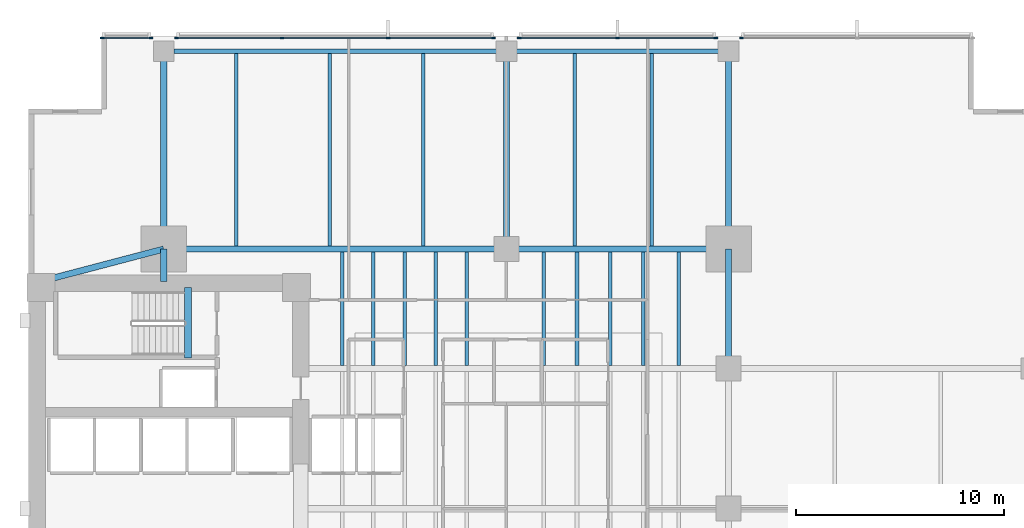
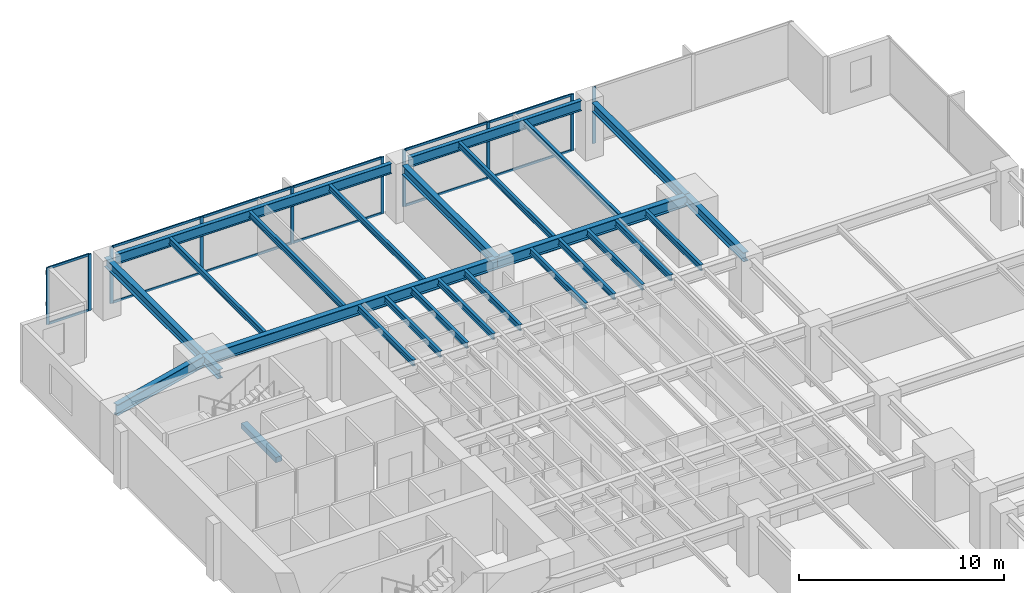
# One storey, part 5 of 15: 26 beams, 22 members, 4 elements without a shape of their own.
"""IFC4 building model written with IfcOpenShell, lengths in metres."""

from ifc_helpers import new_model, si_unit, direction, frame, origin, origin_2d, place, context, subcontext, project, spatial, rectangle, i_section, extrude, material, layer, layer_set, material_profile, profile_set, type_object, element, aggregate, save


model = new_model("IFC4")

# Units and contexts
model_context = context("Model", 3, precision=1e-05, world=origin(), true_north=direction((0.0, 1.0)))
body_context = subcontext(model_context, "Body", "Model", "MODEL_VIEW")
ifc_project = project(units=[si_unit("LENGTHUNIT", "METRE"), si_unit("AREAUNIT", "SQUARE_METRE"), si_unit("VOLUMEUNIT", "CUBIC_METRE"), si_unit("PLANEANGLEUNIT", "RADIAN"), si_unit("MASSUNIT", "GRAM", prefix="KILO")], contexts=[model_context])

# Site, building, storey
site_placement = place(None, origin())
site = spatial("IfcSite", under=ifc_project, at=site_placement, CompositionType="ELEMENT")
building_placement = place(site_placement, origin())
building = spatial("IfcBuilding", under=site, at=building_placement, Name="Kinhvarn Gate Tower", CompositionType="ELEMENT")
storey_placement = place(building_placement, frame((0.0, 0.0, 43.35009765625)))
storey = spatial("IfcBuildingStorey", under=building, at=storey_placement, Name="L10", CompositionType="ELEMENT", Elevation=43.35009765625)

# Beam
ifc_material_1 = material(Name="Concrete C50/60", Category="concrete")
ifc_material_profile_1 = material_profile(ifc_material_1, rectangle(XDim=0.340087890625, YDim=0.320068359375, at=origin_2d()), Name="RC 340x320")
ifc_profile_set_1 = profile_set([ifc_material_profile_1], Name="Concrete C50/60")
beam_type_1 = type_object("IfcBeamType", Name="BM-LND-500", PredefinedType="BEAM", material=ifc_profile_set_1)
beam_1_placement = place(storey_placement, frame((12.1650390625, 32.5, -0.16015625), z_axis=(0.0, 1.0, 0.0), x_axis=(-1.0, 0.0, 0.0)))
element("IfcBeam", 1, at=beam_1_placement, inside=storey, type_object=beam_type_1, Name="Stair ST2 Landing Nosing Beam (L10)", PredefinedType="BEAM", context=body_context, shape_type="SweptSolid", body=[
    extrude(rectangle(XDim=0.340087890625, YDim=0.320068359375, at=origin_2d()), origin(), (0.0, 0.0, 1.0), 3.39990234375),
])

# Curtain wall, member
ifc_material_2 = material(Name="Anodised aluminium AW-6063", Category="aluminium")
ifc_layer = layer(ifc_material_2, 0.179931640625)
ifc_layer_set = layer_set([ifc_layer], Name="Anodised aluminium AW-6063")
curtain_wall_type = type_object("IfcCurtainWallType", Name="CW-SYS-2", PredefinedType="NOTDEFINED", material=ifc_layer_set)
curtain_wall_1_placement = place(storey_placement, origin())
curtain_wall_1 = element("IfcCurtainWall", 2, at=curtain_wall_1_placement, inside=storey, type_object=curtain_wall_type, Name="Curtain Wall CW2 (L10)", PredefinedType="NOTDEFINED")
ifc_material_profile_2 = material_profile(ifc_material_2, rectangle(XDim=0.070068359375, YDim=0.179931640625, at=origin_2d()), Name="ALU 70x180")
ifc_profile_set_2 = profile_set([ifc_material_profile_2], Name="Anodised aluminium AW-6063")
member_type_1 = type_object("IfcMemberType", Name="CW-MUL-180", PredefinedType="MULLION", material=ifc_profile_set_2)
member_1_placement = place(storey_placement, frame((38.81494140625, 47.909912109375, 0.0), z_axis=(0.0, 0.0, 1.0), x_axis=(0.0, -1.0, 0.0)))
member_1 = element("IfcMember", 3, at=member_1_placement, type_object=member_type_1, Name="CW2 mullion 3", PredefinedType="MULLION", context=body_context, shape_type="SweptSolid", body=[
    extrude(rectangle(XDim=0.070068359375, YDim=0.179931640625, at=origin_2d()), origin(), (0.0, 0.0, 1.0), 3.369873046875),
])
aggregate(curtain_wall_1, [member_1])

# Curtain wall, members
curtain_wall_2_placement = place(storey_placement, origin())
curtain_wall_2 = element("IfcCurtainWall", 4, at=curtain_wall_2_placement, inside=storey, type_object=curtain_wall_type, Name="Curtain Wall CW2 (L10)", PredefinedType="NOTDEFINED")
member_2_placement = place(storey_placement, frame((37.5849609375, 47.909912109375, 0.0), z_axis=(0.0, 0.0, 1.0), x_axis=(0.0, -1.0, 0.0)))
member_2 = element("IfcMember", 5, at=member_2_placement, type_object=member_type_1, Name="CW2 mullion 1", PredefinedType="MULLION", context=body_context, shape_type="SweptSolid", body=[
    extrude(rectangle(XDim=0.070068359375, YDim=0.179931640625, at=origin_2d()), origin(), (0.0, 0.0, 1.0), 3.369873046875),
])
member_3_placement = place(storey_placement, frame((32.85009765625, 47.909912109375, 0.0), z_axis=(0.0, 0.0, 1.0), x_axis=(0.0, -1.0, 0.0)))
member_3 = element("IfcMember", 6, at=member_3_placement, type_object=member_type_1, Name="CW2 mullion 2", PredefinedType="MULLION", context=body_context, shape_type="SweptSolid", body=[
    extrude(rectangle(XDim=0.070068359375, YDim=0.179931640625, at=origin_2d()), origin(), (0.0, 0.0, 1.0), 3.369873046875),
])
member_4_placement = place(storey_placement, frame((28.114990234375, 47.909912109375, 0.0), z_axis=(0.0, 0.0, 1.0), x_axis=(0.0, -1.0, 0.0)))
member_4 = element("IfcMember", 7, at=member_4_placement, type_object=member_type_1, Name="CW2 mullion 3", PredefinedType="MULLION", context=body_context, shape_type="SweptSolid", body=[
    extrude(rectangle(XDim=0.070068359375, YDim=0.179931640625, at=origin_2d()), origin(), (0.0, 0.0, 1.0), 3.369873046875),
])

curtain_wall_3_placement = place(storey_placement, origin())
curtain_wall_3 = element("IfcCurtainWall", 8, at=curtain_wall_3_placement, inside=storey, type_object=curtain_wall_type, Name="Curtain Wall CW2 (L10)", PredefinedType="NOTDEFINED")
member_5_placement = place(storey_placement, frame((26.885009765625, 47.909912109375, 0.0), z_axis=(0.0, 0.0, 1.0), x_axis=(0.0, -1.0, 0.0)))
member_5 = element("IfcMember", 9, at=member_5_placement, type_object=member_type_1, Name="CW2 mullion 1", PredefinedType="MULLION", context=body_context, shape_type="SweptSolid", body=[
    extrude(rectangle(XDim=0.070068359375, YDim=0.179931640625, at=origin_2d()), origin(), (0.0, 0.0, 1.0), 3.369873046875),
])
member_6_placement = place(storey_placement, frame((21.806640625, 47.909912109375, 0.0), z_axis=(0.0, 0.0, 1.0), x_axis=(0.0, -1.0, 0.0)))
member_6 = element("IfcMember", 10, at=member_6_placement, type_object=member_type_1, Name="CW2 mullion 2", PredefinedType="MULLION", context=body_context, shape_type="SweptSolid", body=[
    extrude(rectangle(XDim=0.070068359375, YDim=0.179931640625, at=origin_2d()), origin(), (0.0, 0.0, 1.0), 3.369873046875),
])
member_7_placement = place(storey_placement, frame((16.693359375, 47.909912109375, 0.0), z_axis=(0.0, 0.0, 1.0), x_axis=(0.0, -1.0, 0.0)))
member_7 = element("IfcMember", 11, at=member_7_placement, type_object=member_type_1, Name="CW2 mullion 3", PredefinedType="MULLION", context=body_context, shape_type="SweptSolid", body=[
    extrude(rectangle(XDim=0.070068359375, YDim=0.179931640625, at=origin_2d()), origin(), (0.0, 0.0, 1.0), 3.369873046875),
])
member_8_placement = place(storey_placement, frame((11.614990234375, 47.909912109375, 0.0), z_axis=(0.0, 0.0, 1.0), x_axis=(0.0, -1.0, 0.0)))
member_8 = element("IfcMember", 12, at=member_8_placement, type_object=member_type_1, Name="CW2 mullion 4", PredefinedType="MULLION", context=body_context, shape_type="SweptSolid", body=[
    extrude(rectangle(XDim=0.070068359375, YDim=0.179931640625, at=origin_2d()), origin(), (0.0, 0.0, 1.0), 3.369873046875),
])

curtain_wall_4_placement = place(storey_placement, origin())
curtain_wall_4 = element("IfcCurtainWall", 13, at=curtain_wall_4_placement, inside=storey, type_object=curtain_wall_type, Name="Curtain Wall CW2 (L10)", PredefinedType="NOTDEFINED")
member_9_placement = place(storey_placement, frame((10.385009765625, 47.909912109375, 0.0), z_axis=(0.0, 0.0, 1.0), x_axis=(0.0, -1.0, 0.0)))
member_9 = element("IfcMember", 14, at=member_9_placement, type_object=member_type_1, Name="CW2 mullion 1", PredefinedType="MULLION", context=body_context, shape_type="SweptSolid", body=[
    extrude(rectangle(XDim=0.070068359375, YDim=0.179931640625, at=origin_2d()), origin(), (0.0, 0.0, 1.0), 3.369873046875),
])
member_10_placement = place(storey_placement, frame((8.034912109375, 47.909912109375, 0.0), z_axis=(0.0, 0.0, 1.0), x_axis=(0.0, -1.0, 0.0)))
member_10 = element("IfcMember", 15, at=member_10_placement, type_object=member_type_1, Name="CW2 mullion 2", PredefinedType="MULLION", context=body_context, shape_type="SweptSolid", body=[
    extrude(rectangle(XDim=0.070068359375, YDim=0.179931640625, at=origin_2d()), origin(), (0.0, 0.0, 1.0), 3.369873046875),
])

# Member
ifc_material_profile_3 = material_profile(ifc_material_2, rectangle(XDim=0.070068359375, YDim=0.139892578125, at=origin_2d()), Name="ALU 70x140")
ifc_profile_set_3 = profile_set([ifc_material_profile_3], Name="Anodised aluminium AW-6063")
member_type_2 = type_object("IfcMemberType", Name="CW-TRN-140", PredefinedType="USERDEFINED", material=ifc_profile_set_3)
member_11_placement = place(storey_placement, frame((37.550048828125, 47.909912109375, 0.034912109375), z_axis=(-1.0, 0.0, 0.0), x_axis=(0.0, -1.0, 0.0)))
member_11 = element("IfcMember", 16, at=member_11_placement, type_object=member_type_2, Name="CW2 transom 1.1", ObjectType="TRANSOM", PredefinedType="USERDEFINED", context=body_context, shape_type="SweptSolid", body=[
    extrude(rectangle(XDim=0.070068359375, YDim=0.139892578125, at=origin_2d()), origin(), (0.0, 0.0, 1.0), 4.6650390625),
])

member_12_placement = place(storey_placement, frame((37.550048828125, 47.909912109375, 3.3349609375), z_axis=(-1.0, 0.0, 0.0), x_axis=(0.0, -1.0, 0.0)))
member_12 = element("IfcMember", 17, at=member_12_placement, type_object=member_type_2, Name="CW2 transom 1.2", ObjectType="TRANSOM", PredefinedType="USERDEFINED", context=body_context, shape_type="SweptSolid", body=[
    extrude(rectangle(XDim=0.070068359375, YDim=0.139892578125, at=origin_2d()), origin(), (0.0, 0.0, 1.0), 4.6650390625),
])

member_13_placement = place(storey_placement, frame((32.81494140625, 47.909912109375, 0.034912109375), z_axis=(-1.0, 0.0, 0.0), x_axis=(0.0, -1.0, 0.0)))
member_13 = element("IfcMember", 18, at=member_13_placement, type_object=member_type_2, Name="CW2 transom 2.1", ObjectType="TRANSOM", PredefinedType="USERDEFINED", context=body_context, shape_type="SweptSolid", body=[
    extrude(rectangle(XDim=0.070068359375, YDim=0.139892578125, at=origin_2d()), origin(), (0.0, 0.0, 1.0), 4.6650390625),
])

member_14_placement = place(storey_placement, frame((32.81494140625, 47.909912109375, 3.3349609375), z_axis=(-1.0, 0.0, 0.0), x_axis=(0.0, -1.0, 0.0)))
member_14 = element("IfcMember", 19, at=member_14_placement, type_object=member_type_2, Name="CW2 transom 2.2", ObjectType="TRANSOM", PredefinedType="USERDEFINED", context=body_context, shape_type="SweptSolid", body=[
    extrude(rectangle(XDim=0.070068359375, YDim=0.139892578125, at=origin_2d()), origin(), (0.0, 0.0, 1.0), 4.6650390625),
])

aggregate(curtain_wall_2, [member_2, member_3, member_4, member_11, member_12, member_13, member_14])

member_15_placement = place(storey_placement, frame((26.85009765625, 47.909912109375, 0.034912109375), z_axis=(-1.0, 0.0, 0.0), x_axis=(0.0, -1.0, 0.0)))
member_15 = element("IfcMember", 20, at=member_15_placement, type_object=member_type_2, Name="CW2 transom 1.1", ObjectType="TRANSOM", PredefinedType="USERDEFINED", context=body_context, shape_type="SweptSolid", body=[
    extrude(rectangle(XDim=0.070068359375, YDim=0.139892578125, at=origin_2d()), origin(), (0.0, 0.0, 1.0), 5.008544921875),
])

member_16_placement = place(storey_placement, frame((26.85009765625, 47.909912109375, 3.3349609375), z_axis=(-1.0, 0.0, 0.0), x_axis=(0.0, -1.0, 0.0)))
member_16 = element("IfcMember", 21, at=member_16_placement, type_object=member_type_2, Name="CW2 transom 1.2", ObjectType="TRANSOM", PredefinedType="USERDEFINED", context=body_context, shape_type="SweptSolid", body=[
    extrude(rectangle(XDim=0.070068359375, YDim=0.139892578125, at=origin_2d()), origin(), (0.0, 0.0, 1.0), 5.008544921875),
])

member_17_placement = place(storey_placement, frame((21.771728515625, 47.909912109375, 0.034912109375), z_axis=(-1.0, 0.0, 0.0), x_axis=(0.0, -1.0, 0.0)))
member_17 = element("IfcMember", 22, at=member_17_placement, type_object=member_type_2, Name="CW2 transom 2.1", ObjectType="TRANSOM", PredefinedType="USERDEFINED", context=body_context, shape_type="SweptSolid", body=[
    extrude(rectangle(XDim=0.070068359375, YDim=0.139892578125, at=origin_2d()), origin(), (0.0, 0.0, 1.0), 5.04345703125),
])

member_18_placement = place(storey_placement, frame((21.771728515625, 47.909912109375, 3.3349609375), z_axis=(-1.0, 0.0, 0.0), x_axis=(0.0, -1.0, 0.0)))
member_18 = element("IfcMember", 23, at=member_18_placement, type_object=member_type_2, Name="CW2 transom 2.2", ObjectType="TRANSOM", PredefinedType="USERDEFINED", context=body_context, shape_type="SweptSolid", body=[
    extrude(rectangle(XDim=0.070068359375, YDim=0.139892578125, at=origin_2d()), origin(), (0.0, 0.0, 1.0), 5.04345703125),
])

member_19_placement = place(storey_placement, frame((16.658447265625, 47.909912109375, 0.034912109375), z_axis=(-1.0, 0.0, 0.0), x_axis=(0.0, -1.0, 0.0)))
member_19 = element("IfcMember", 24, at=member_19_placement, type_object=member_type_2, Name="CW2 transom 3.1", ObjectType="TRANSOM", PredefinedType="USERDEFINED", context=body_context, shape_type="SweptSolid", body=[
    extrude(rectangle(XDim=0.070068359375, YDim=0.139892578125, at=origin_2d()), origin(), (0.0, 0.0, 1.0), 5.008544921875),
])

member_20_placement = place(storey_placement, frame((16.658447265625, 47.909912109375, 3.3349609375), z_axis=(-1.0, 0.0, 0.0), x_axis=(0.0, -1.0, 0.0)))
member_20 = element("IfcMember", 25, at=member_20_placement, type_object=member_type_2, Name="CW2 transom 3.2", ObjectType="TRANSOM", PredefinedType="USERDEFINED", context=body_context, shape_type="SweptSolid", body=[
    extrude(rectangle(XDim=0.070068359375, YDim=0.139892578125, at=origin_2d()), origin(), (0.0, 0.0, 1.0), 5.008544921875),
])

aggregate(curtain_wall_3, [member_5, member_6, member_7, member_8, member_15, member_16, member_17, member_18, member_19, member_20])

member_21_placement = place(storey_placement, frame((10.35009765625, 47.909912109375, 0.034912109375), z_axis=(-1.0, 0.0, 0.0), x_axis=(0.0, -1.0, 0.0)))
member_21 = element("IfcMember", 26, at=member_21_placement, type_object=member_type_2, Name="CW2 transom 1.1", ObjectType="TRANSOM", PredefinedType="USERDEFINED", context=body_context, shape_type="SweptSolid", body=[
    extrude(rectangle(XDim=0.070068359375, YDim=0.139892578125, at=origin_2d()), origin(), (0.0, 0.0, 1.0), 2.280029296875),
])

member_22_placement = place(storey_placement, frame((10.35009765625, 47.909912109375, 3.3349609375), z_axis=(-1.0, 0.0, 0.0), x_axis=(0.0, -1.0, 0.0)))
member_22 = element("IfcMember", 27, at=member_22_placement, type_object=member_type_2, Name="CW2 transom 1.2", ObjectType="TRANSOM", PredefinedType="USERDEFINED", context=body_context, shape_type="SweptSolid", body=[
    extrude(rectangle(XDim=0.070068359375, YDim=0.139892578125, at=origin_2d()), origin(), (0.0, 0.0, 1.0), 2.280029296875),
])

aggregate(curtain_wall_4, [member_9, member_10, member_21, member_22])

# Beams
ifc_material_3 = material(Name="Steel S355", Category="steel")
ifc_material_profile_4 = material_profile(ifc_material_3, i_section(OverallWidth=0.300048828125, OverallDepth=0.550048828125, WebThickness=0.014892578125, FlangeThickness=0.029052734375, at=origin_2d()), Name="HEB 550")
ifc_profile_set_4 = profile_set([ifc_material_profile_4], Name="Steel S355")
beam_type_2 = type_object("IfcBeamType", Name="STL-HEB550", PredefinedType="BEAM", material=ifc_profile_set_4)
beam_2_placement = place(storey_placement, frame((11.0, 36.199951171875, 3.094970703125), z_axis=(0.0, 1.0, 0.0), x_axis=(-1.0, 0.0, 0.0)))
element("IfcBeam", 28, at=beam_2_placement, inside=storey, type_object=beam_type_2, Name="Floor Beam PG-15 (L10 MCW-CN)", PredefinedType="BEAM", context=body_context, shape_type="SweptSolid", body=[
    extrude(i_section(OverallWidth=0.300048828125, OverallDepth=0.550048828125, WebThickness=0.014892578125, FlangeThickness=0.029052734375, at=origin_2d()), origin(), (0.0, 0.0, 1.0), 1.550048828125),
])
beam_3_placement = place(storey_placement, frame((11.0, 37.75, 3.094970703125), z_axis=(0.0, 1.0, 0.0), x_axis=(-1.0, 0.0, 0.0)))
element("IfcBeam", 29, at=beam_3_placement, inside=storey, type_object=beam_type_2, Name="Floor Beam PG-15 (L10 MCW-N)", PredefinedType="BEAM", context=body_context, shape_type="SweptSolid", body=[
    extrude(i_section(OverallWidth=0.300048828125, OverallDepth=0.550048828125, WebThickness=0.014892578125, FlangeThickness=0.029052734375, at=origin_2d()), origin(), (0.0, 0.0, 1.0), 9.530029296875),
])
for number, where, z_axis, x_axis, name in (
    (30, (27.5, 37.75, 3.094970703125), (0.0, 1.0, 0.0), (-1.0, 0.0, 0.0), "Floor Beam PG-15 (L10 SP27-N-TIE)"),
    (31, (38.199951171875, 37.75, 3.094970703125), (0.0, 1.0, 0.0), (-1.0, 0.0, 0.0), "Floor Beam PG-15 (L10 MCE-N)"),
):
    element("IfcBeam", number, at=place(storey_placement, frame(where, z_axis=z_axis, x_axis=x_axis)), inside=storey, type_object=beam_type_2, Name=name, PredefinedType="BEAM", context=body_context, shape_type="SweptSolid", body=[
        extrude(i_section(OverallWidth=0.300048828125, OverallDepth=0.550048828125, WebThickness=0.014892578125, FlangeThickness=0.029052734375, at=origin_2d()), origin(), (0.0, 0.0, 1.0), 9.044921875),
    ])
beam_4_placement = place(storey_placement, frame((38.199951171875, 32.0, 3.094970703125), z_axis=(0.0, 1.0, 0.0), x_axis=(-1.0, 0.0, 0.0)))
element("IfcBeam", 32, at=beam_4_placement, inside=storey, type_object=beam_type_2, Name="Floor Beam PG-15 (L10 MG-E-32)", PredefinedType="BEAM", context=body_context, shape_type="SweptSolid", body=[
    extrude(i_section(OverallWidth=0.300048828125, OverallDepth=0.550048828125, WebThickness=0.014892578125, FlangeThickness=0.029052734375, at=origin_2d()), origin(), (0.0, 0.0, 1.0), 5.75),
])
ifc_material_profile_5 = material_profile(ifc_material_3, i_section(OverallWidth=0.300048828125, OverallDepth=0.64990234375, WebThickness=0.01611328125, FlangeThickness=0.031005859375, at=origin_2d()), Name="HEB 650")
ifc_profile_set_5 = profile_set([ifc_material_profile_5], Name="Steel S355")
beam_type_3 = type_object("IfcBeamType", Name="STL-HEB650", PredefinedType="BEAM", material=ifc_profile_set_5)
beam_5_placement = place(storey_placement, frame((11.0, 37.75, 3.044921875), z_axis=(1.0, 0.0, 0.0), x_axis=(0.0, 1.0, 0.0)))
element("IfcBeam", 33, at=beam_5_placement, inside=storey, type_object=beam_type_3, Name="Floor Beam PG-17 (L10 MG-N1)", PredefinedType="BEAM", context=body_context, shape_type="SweptSolid", body=[
    extrude(i_section(OverallWidth=0.300048828125, OverallDepth=0.64990234375, WebThickness=0.01611328125, FlangeThickness=0.031005859375, at=origin_2d()), origin(), (0.0, 0.0, 1.0), 16.5),
])
beam_6_placement = place(storey_placement, frame((27.5, 37.75, 3.044921875), z_axis=(1.0, 0.0, 0.0), x_axis=(0.0, 1.0, 0.0)))
element("IfcBeam", 34, at=beam_6_placement, inside=storey, type_object=beam_type_3, Name="Floor Beam PG-17 (L10 MG-N2)", PredefinedType="BEAM", context=body_context, shape_type="SweptSolid", body=[
    extrude(i_section(OverallWidth=0.300048828125, OverallDepth=0.64990234375, WebThickness=0.01611328125, FlangeThickness=0.031005859375, at=origin_2d()), origin(), (0.0, 0.0, 1.0), 10.699951171875),
])
beam_7_placement = place(storey_placement, frame((5.10009765625, 36.199951171875, 3.044921875), z_axis=(0.967177623957, 0.254101246979, 0.0), x_axis=(-0.254101246979, 0.967177623957, 0.0)))
element("IfcBeam", 35, at=beam_7_placement, inside=storey, type_object=beam_type_3, Name="Floor Beam PG-17 (L10 MG-NW-DIAG)", PredefinedType="BEAM", context=body_context, shape_type="SweptSolid", body=[
    extrude(i_section(OverallWidth=0.300048828125, OverallDepth=0.64990234375, WebThickness=0.01611328125, FlangeThickness=0.031005859375, at=origin_2d()), origin(), (0.0, 0.0, 1.0), 6.10009765625),
])
ifc_material_profile_6 = material_profile(ifc_material_3, i_section(OverallWidth=0.169921875, OverallDepth=0.360107421875, WebThickness=0.008056640625, FlangeThickness=0.0126953125, at=origin_2d()), Name="IPE 360")
ifc_profile_set_6 = profile_set([ifc_material_profile_6], Name="Steel S355")
beam_type_4 = type_object("IfcBeamType", Name="STL-IPE360", PredefinedType="JOIST", material=ifc_profile_set_6)
for number, where, z_axis, x_axis, name in (
    (36, (19.60009765625, 32.14990234375, 3.18994140625), (0.0, 1.0, 0.0), (-1.0, 0.0, 0.0), "Floor Joist SB-04 (L10 JC-X196-3)"),
    (37, (21.10009765625, 32.14990234375, 3.18994140625), (0.0, 1.0, 0.0), (-1.0, 0.0, 0.0), "Floor Joist SB-04 (L10 JC-X211-3)"),
    (38, (22.60009765625, 32.14990234375, 3.18994140625), (0.0, 1.0, 0.0), (-1.0, 0.0, 0.0), "Floor Joist SB-04 (L10 JC-X226-3)"),
    (39, (24.10009765625, 32.14990234375, 3.18994140625), (0.0, 1.0, 0.0), (-1.0, 0.0, 0.0), "Floor Joist SB-04 (L10 JC-X241-3)"),
    (40, (25.60009765625, 32.14990234375, 3.18994140625), (0.0, 1.0, 0.0), (-1.0, 0.0, 0.0), "Floor Joist SB-04 (L10 JC-X256-3)"),
    (41, (29.300048828125, 32.14990234375, 3.18994140625), (0.0, 1.0, 0.0), (-1.0, 0.0, 0.0), "Floor Joist SB-04 (L10 JC-X293-3)"),
    (42, (30.89990234375, 32.14990234375, 3.18994140625), (0.0, 1.0, 0.0), (-1.0, 0.0, 0.0), "Floor Joist SB-04 (L10 JC-X309-3)"),
    (43, (32.5, 32.14990234375, 3.18994140625), (0.0, 1.0, 0.0), (-1.0, 0.0, 0.0), "Floor Joist SB-04 (L10 JC-X325-3)"),
    (44, (34.10009765625, 32.14990234375, 3.18994140625), (0.0, 1.0, 0.0), (-1.0, 0.0, 0.0), "Floor Joist SB-04 (L10 JC-X341-3)"),
    (45, (35.800048828125, 32.14990234375, 3.18994140625), (0.0, 1.0, 0.0), (-1.0, 0.0, 0.0), "Floor Joist SB-04 (L10 JC-X358-3)"),
):
    element("IfcBeam", number, at=place(storey_placement, frame(where, z_axis=z_axis, x_axis=x_axis)), inside=storey, type_object=beam_type_4, Name=name, PredefinedType="JOIST", context=body_context, shape_type="SweptSolid", body=[
        extrude(i_section(OverallWidth=0.169921875, OverallDepth=0.360107421875, WebThickness=0.008056640625, FlangeThickness=0.0126953125, at=origin_2d()), origin(), (0.0, 0.0, 1.0), 5.4501953125),
    ])
for number, where, z_axis, x_axis, name in (
    (46, (14.5, 37.89990234375, 3.18994140625), (0.0, 1.0, 0.0), (-1.0, 0.0, 0.0), "Floor Joist SB-04 (L10 JN-X145)"),
    (47, (19.0, 37.89990234375, 3.18994140625), (0.0, 1.0, 0.0), (-1.0, 0.0, 0.0), "Floor Joist SB-04 (L10 JN-X190)"),
    (48, (23.5, 37.89990234375, 3.18994140625), (0.0, 1.0, 0.0), (-1.0, 0.0, 0.0), "Floor Joist SB-04 (L10 JN-X235)"),
    (49, (30.800048828125, 37.89990234375, 3.18994140625), (0.0, 1.0, 0.0), (-1.0, 0.0, 0.0), "Floor Joist SB-04 (L10 JN-X308)"),
    (50, (34.5, 37.89990234375, 3.18994140625), (0.0, 1.0, 0.0), (-1.0, 0.0, 0.0), "Floor Joist SB-04 (L10 JN-X345)"),
):
    element("IfcBeam", number, at=place(storey_placement, frame(where, z_axis=z_axis, x_axis=x_axis)), inside=storey, type_object=beam_type_4, Name=name, PredefinedType="JOIST", context=body_context, shape_type="SweptSolid", body=[
        extrude(i_section(OverallWidth=0.169921875, OverallDepth=0.360107421875, WebThickness=0.008056640625, FlangeThickness=0.0126953125, at=origin_2d()), origin(), (0.0, 0.0, 1.0), 9.27001953125),
    ])
ifc_material_profile_7 = material_profile(ifc_material_3, i_section(OverallWidth=0.219970703125, OverallDepth=0.60009765625, WebThickness=0.011962890625, FlangeThickness=0.01904296875, at=origin_2d()), Name="IPE 600")
ifc_profile_set_7 = profile_set([ifc_material_profile_7], Name="Steel S355")
beam_type_5 = type_object("IfcBeamType", Name="STL-IPE600", PredefinedType="SPANDREL", material=ifc_profile_set_7)
beam_8_placement = place(storey_placement, frame((11.485107421875, 47.280029296875, 3.06982421875), z_axis=(1.0, 0.0, 0.0), x_axis=(0.0, 1.0, 0.0)))
element("IfcBeam", 51, at=beam_8_placement, inside=storey, type_object=beam_type_5, Name="Floor Spandrel SB-09 (L10 SP-N1)", PredefinedType="SPANDREL", context=body_context, shape_type="SweptSolid", body=[
    extrude(i_section(OverallWidth=0.219970703125, OverallDepth=0.60009765625, WebThickness=0.011962890625, FlangeThickness=0.01904296875, at=origin_2d()), origin(), (0.0, 0.0, 1.0), 15.52978515625),
])
beam_9_placement = place(storey_placement, frame((27.985107421875, 47.280029296875, 3.06982421875), z_axis=(1.0, 0.0, 0.0), x_axis=(0.0, 1.0, 0.0)))
element("IfcBeam", 52, at=beam_9_placement, inside=storey, type_object=beam_type_5, Name="Floor Spandrel SB-09 (L10 SP-N2)", PredefinedType="SPANDREL", context=body_context, shape_type="SweptSolid", body=[
    extrude(i_section(OverallWidth=0.219970703125, OverallDepth=0.60009765625, WebThickness=0.011962890625, FlangeThickness=0.01904296875, at=origin_2d()), origin(), (0.0, 0.0, 1.0), 9.72998046875),
])

save(model, "model.ifc")
